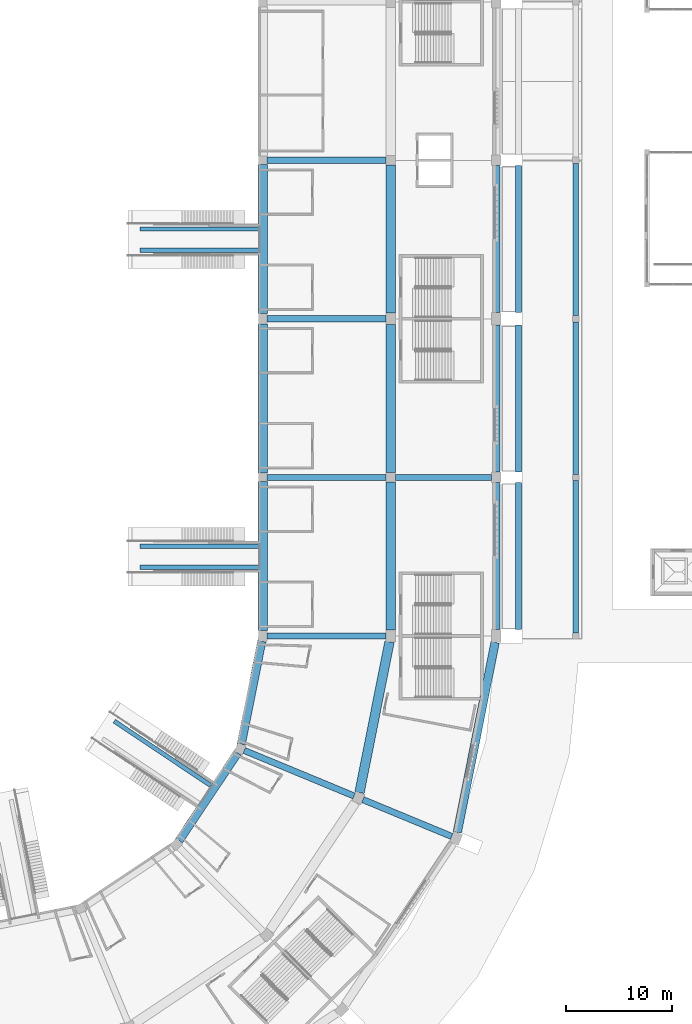
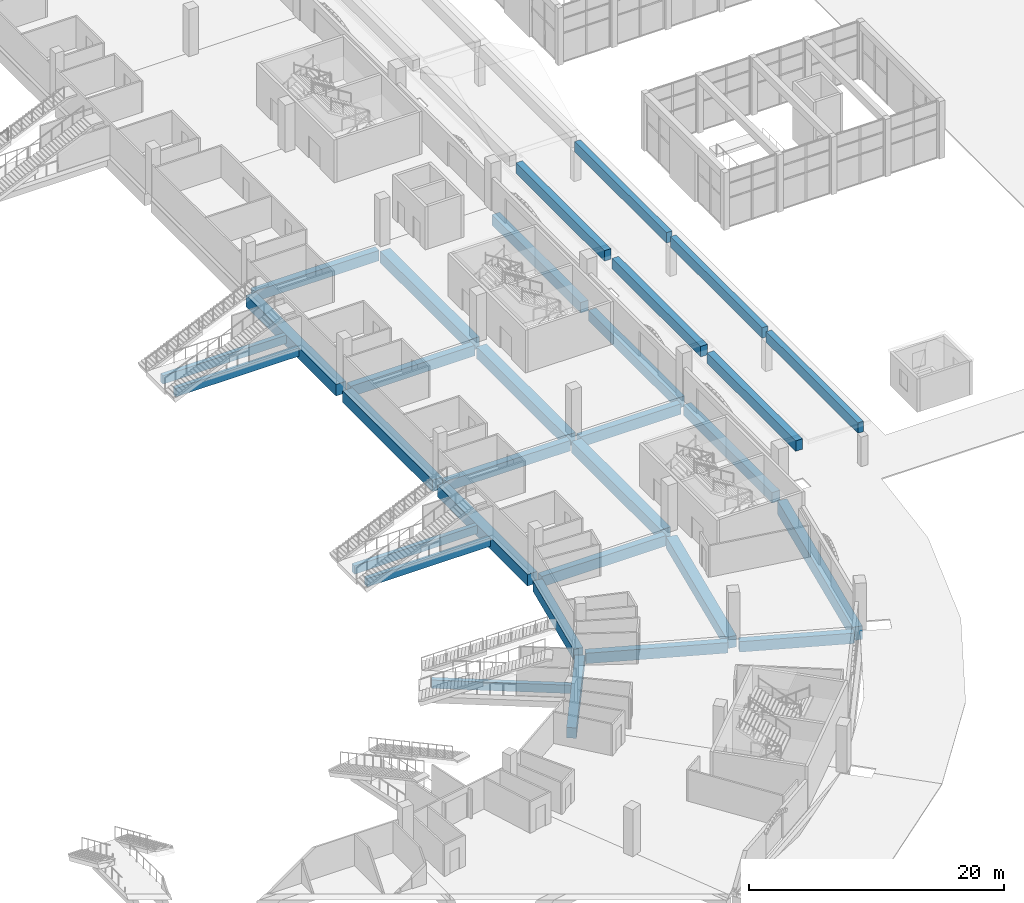
# One storey, part 5 of 175: 31 beams.
"""IFC4 building model written with IfcOpenShell, lengths in metres."""

import ifcopenshell
import ifcopenshell.guid

model = None  # the IFC model being written
_history = None  # IfcOwnerHistory: only IFC2X3 demands one
_inside = {}  # id of a spatial element -> (the spatial element, [elements in it])
_under = {}  # id of a project, library or spatial element -> (it, [spatial elements below it])
_declared = {}  # id of a project -> (the project, [libraries it declares])
_typed = {}  # id of a type object -> (the type object, [elements of that type])
_made_of = {}  # id of a material, layer set ... -> (it, [elements and type objects made of it])


def new_model(schema):
    """Start an empty IFC model of exactly this schema.

    Asked for "IFC4X3", IfcOpenShell would pick the latest addendum, in which some entities
    have other attributes; the version numbers below select the first issue.
    IFC2X3 requires an IfcOwnerHistory on every rooted entity: one is made here for all.
    """
    global model, _history
    if schema == "IFC4X3":
        model = ifcopenshell.file(schema_version=(4, 3, 0, 0))
    else:
        model = ifcopenshell.file(schema=schema)
    _inside.clear()
    _under.clear()
    _declared.clear()
    _typed.clear()
    _made_of.clear()
    _history = None
    if model.schema == "IFC2X3":
        org = make("IfcOrganization", Name="unknown")
        user = make(
            "IfcPersonAndOrganization",
            ThePerson=make("IfcPerson", FamilyName="unknown"),
            TheOrganization=org,
        )
        app = make(
            "IfcApplication",
            ApplicationDeveloper=org,
            Version="unknown",
            ApplicationFullName="unknown",
            ApplicationIdentifier="unknown",
        )
        _history = make(
            "IfcOwnerHistory",
            OwningUser=user,
            OwningApplication=app,
            ChangeAction="ADDED",
            CreationDate=0,
        )
    return model


def make(cls, **values):
    """One entity of the class cls with the attributes given. An attribute that is None is left unset."""
    return model.create_entity(
        cls, **{name: value for name, value in values.items() if value is not None}
    )


def rooted(cls, **values):
    """An entity with a GlobalId (a new one), such as an element, a storey or a relation."""
    return make(cls, GlobalId=ifcopenshell.guid.new(), OwnerHistory=_history, **values)


def si_unit(unit_type, name, prefix=None):
    """IfcSIUnit, for example si_unit("LENGTHUNIT", "METRE", prefix="MILLI")."""
    return make("IfcSIUnit", UnitType=unit_type, Prefix=prefix, Name=name)


def assignment(units):
    """IfcUnitAssignment: the units of a project."""
    return None if units is None else make("IfcUnitAssignment", Units=units)


def point(xyz):
    """IfcCartesianPoint."""
    return None if xyz is None else make("IfcCartesianPoint", Coordinates=xyz)


def direction(xyz):
    """IfcDirection."""
    return None if xyz is None else make("IfcDirection", DirectionRatios=xyz)


def frame(location, z_axis=None, x_axis=None):
    """IfcAxis2Placement3D, a coordinate frame: its origin and axes. An axis left out is left unset."""
    return make(
        "IfcAxis2Placement3D",
        Location=point(location),
        Axis=direction(z_axis),
        RefDirection=direction(x_axis),
    )


def frame_2d(location, x_axis=None):
    """IfcAxis2Placement2D, a coordinate frame in the plane: its origin and x axis."""
    return make(
        "IfcAxis2Placement2D", Location=point(location), RefDirection=direction(x_axis)
    )


def origin():
    """The frame at (0, 0, 0) with its axes left unset."""
    return frame((0.0, 0.0, 0.0))


def origin_2d():
    """The frame at (0, 0) in the plane with its x axis left unset."""
    return frame_2d((0.0, 0.0))


def place(relative_to, where):
    """IfcLocalPlacement: puts the frame where relative to a parent placement (None: the world)."""
    return make(
        "IfcLocalPlacement", PlacementRelTo=relative_to, RelativePlacement=where
    )


def context(
    kind, dimensions, precision=None, world=None, true_north=None, identifier=None
):
    """IfcGeometricRepresentationContext, for example the 3D "Model" context."""
    return make(
        "IfcGeometricRepresentationContext",
        ContextIdentifier=identifier,
        ContextType=kind,
        CoordinateSpaceDimension=dimensions,
        Precision=precision,
        WorldCoordinateSystem=world,
        TrueNorth=true_north,
    )


def subcontext(parent, identifier, kind, view, scale=None):
    """IfcGeometricRepresentationSubContext, for example "Body" below "Model"."""
    return make(
        "IfcGeometricRepresentationSubContext",
        ContextIdentifier=identifier,
        ContextType=kind,
        ParentContext=parent,
        TargetScale=scale,
        TargetView=view,
    )


def project(units=None, contexts=None):
    """IfcProject with its units and contexts."""
    return rooted(
        "IfcProject",
        Name="project",
        RepresentationContexts=contexts,
        UnitsInContext=assignment(units),
    )


def spatial(cls, under=None, at=None, **own):
    """A site, building, storey or space (cls), placed at a placement, below another one or the project."""
    s = rooted(cls, ObjectPlacement=at, **own)
    if under is not None:
        _under.setdefault(under.id(), (under, []))[1].append(s)
    return s


def profile(cls, at=None, kind="AREA", **sizes):
    """A parametric profile (cls). Its sizes go by their IFC names, for example OverallWidth=200.0."""
    return make(cls, ProfileType=kind, Position=at, **sizes)


def rectangle(**sizes):
    """IfcRectangleProfileDef."""
    return profile("IfcRectangleProfileDef", **sizes)


def extrude(swept, where, along, depth):
    """IfcExtrudedAreaSolid: the profile swept, set in the frame where, extruded along a direction by depth."""
    return make(
        "IfcExtrudedAreaSolid",
        SweptArea=swept,
        Position=where,
        ExtrudedDirection=direction(along),
        Depth=depth,
    )


def shape(context_of_items, identifier, shape_type, items):
    """IfcShapeRepresentation: the items that make up one representation, for example the "Body"."""
    return make(
        "IfcShapeRepresentation",
        ContextOfItems=context_of_items,
        RepresentationIdentifier=identifier,
        RepresentationType=shape_type,
        Items=items,
    )


def material(Name=None, Category=None):
    """IfcMaterial."""
    return make("IfcMaterial", Name=Name, Category=Category)


def material_profile(
    of_material, cross_section, Name=None, Category=None, Priority=None
):
    """IfcMaterialProfile: a cross section and its material."""
    return make(
        "IfcMaterialProfile",
        Name=Name,
        Material=of_material,
        Profile=cross_section,
        Priority=Priority,
        Category=Category,
    )


def profile_set(profiles, Name=None, composite=None):
    """IfcMaterialProfileSet."""
    return make(
        "IfcMaterialProfileSet",
        Name=Name,
        MaterialProfiles=profiles,
        CompositeProfile=composite,
    )


def made_of(thing, what):
    """Note that an element or type object is made of a material, layer set ...; save() writes the relation."""
    if what is not None:
        _made_of.setdefault(what.id(), (what, []))[1].append(thing)
    return thing


def type_object(cls, material=None, **own):
    """A type object (cls), such as IfcWallType, which elements share."""
    return made_of(rooted(cls, **own), material)


def element(
    cls,
    number,
    at=None,
    inside=None,
    cuts=None,
    type_object=None,
    material=None,
    context=None,
    identifier="Body",
    shape_type=None,
    held_by="IfcProductDefinitionShape",
    body=None,
    shapes=None,
    **own,
):
    """One element of the class cls, such as IfcWall. Its Tag is "e" and its number.

    at: its placement. inside: the storey or other place that contains it. cuts: it is an
    opening in that element (IfcRelVoidsElement). A single representation is given by context,
    identifier, shape_type and body (its items); several are given by shapes. held_by: the class
    of the entity that holds the representations. save() writes the other relations.
    """
    e = rooted(cls, Tag="e%d" % number, ObjectPlacement=at, **own)
    if body is not None:
        shapes = [shape(context, identifier, shape_type, body)]
    if shapes is not None:
        e.Representation = make(held_by, Representations=shapes)
    if inside is not None:
        _inside.setdefault(inside.id(), (inside, []))[1].append(e)
    if cuts is not None:
        rooted(
            "IfcRelVoidsElement", RelatingBuildingElement=cuts, RelatedOpeningElement=e
        )
    if type_object is not None:
        _typed.setdefault(type_object.id(), (type_object, []))[1].append(e)
    return made_of(e, material)


def aggregate(whole, parts):
    """IfcRelAggregates: a whole, such as a stair, and the parts it consists of."""
    return rooted("IfcRelAggregates", RelatingObject=whole, RelatedObjects=parts)


def save(model, path):
    """Write the relations noted so far, then the file.

    IfcRelAggregates (storeys below a building ...), IfcRelContainedInSpatialStructure (elements
    in a storey), IfcRelDefinesByType, IfcRelAssociatesMaterial and IfcRelDeclares: one each for
    every whole, place, type object, material and project.
    """
    for whole, parts in _under.values():
        aggregate(whole, parts)
    for where, things in _inside.values():
        rooted(
            "IfcRelContainedInSpatialStructure",
            RelatedElements=things,
            RelatingStructure=where,
        )
    for kind, things in _typed.values():
        rooted("IfcRelDefinesByType", RelatedObjects=things, RelatingType=kind)
    for what, things in _made_of.values():
        rooted("IfcRelAssociatesMaterial", RelatedObjects=things, RelatingMaterial=what)
    for by, libraries in _declared.values():
        rooted("IfcRelDeclares", RelatingContext=by, RelatedDefinitions=libraries)
    model.write(path)


model = new_model("IFC4")

# Units and contexts
model_context = context("Model", 3, precision=1e-05, world=origin(), true_north=direction((0.0, 1.0)))
body_context = subcontext(model_context, "Body", "Model", "MODEL_VIEW")
ifc_project = project(units=[si_unit("LENGTHUNIT", "METRE"), si_unit("AREAUNIT", "SQUARE_METRE"), si_unit("VOLUMEUNIT", "CUBIC_METRE"), si_unit("PLANEANGLEUNIT", "RADIAN"), si_unit("MASSUNIT", "GRAM", prefix="KILO")], contexts=[model_context])

# Site, building, storey
site_placement = place(None, origin())
site = spatial("IfcSite", under=ifc_project, at=site_placement, CompositionType="ELEMENT")
building_placement = place(site_placement, origin())
building = spatial("IfcBuilding", under=site, at=building_placement, Name="Ogive Plaza Stadium", CompositionType="ELEMENT")
storey_placement = place(building_placement, origin())
storey = spatial("IfcBuildingStorey", under=building, at=storey_placement, Name="L00", CompositionType="ELEMENT", Elevation=0.0)

# Beams
ifc_material_1 = material(Name="Concrete C40/50", Category="concrete")
ifc_material_profile_1 = material_profile(ifc_material_1, rectangle(XDim=0.5, YDim=1.0, at=origin_2d()), Name="RC 500x1000")
ifc_profile_set_1 = profile_set([ifc_material_profile_1], Name="Concrete C40/50")
beam_type_1 = type_object("IfcBeamType", Name="Colonnade front beam RC 500x1000", PredefinedType="BEAM", material=ifc_profile_set_1)
for number, where, z_axis, x_axis, name in (
    (1, (91.5, -7.800048828125, 3.300048828125), (0.0, -1.0, 0.0), (1.0, 0.0, 0.0), "Colonnade front beam B05"),
    (2, (91.5, -22.800048828125, 3.300048828125), (0.0, -1.0, 0.0), (1.0, 0.0, 0.0), "Colonnade front beam B06"),
    (3, (91.5, -37.800048828125, 3.300048828125), (0.0, -1.0, 0.0), (1.0, 0.0, 0.0), "Colonnade front beam B07"),
):
    element("IfcBeam", number, at=place(storey_placement, frame(where, z_axis=z_axis, x_axis=x_axis)), inside=storey, type_object=beam_type_1, Name=name, PredefinedType="BEAM", context=body_context, shape_type="SweptSolid", body=[
        extrude(rectangle(XDim=0.5, YDim=1.0, at=origin_2d()), origin(), (0.0, 0.0, 1.0), 14.39990234375),
    ])
ifc_material_2 = material(Name="Concrete C40/50", Category="concrete")
ifc_material_profile_2 = material_profile(ifc_material_2, rectangle(XDim=0.60009765625, YDim=1.0, at=origin_2d()), Name="RC 600x1000")
ifc_profile_set_2 = profile_set([ifc_material_profile_2], Name="Concrete C40/50")
beam_type_2 = type_object("IfcBeamType", Name="Colonnade rear beam RC 600x1000", PredefinedType="BEAM", material=ifc_profile_set_2)
for number, where, z_axis, x_axis, name in (
    (4, (86.10009765625, -8.0, 3.300048828125), (0.0, -1.0, 0.0), (1.0, 0.0, 0.0), "Colonnade rear beam B05"),
    (5, (86.10009765625, -23.10009765625, 3.300048828125), (0.0, -1.0, 0.0), (1.0, 0.0, 0.0), "Colonnade rear beam B06"),
    (6, (86.10009765625, -38.0, 3.300048828125), (0.0, -1.0, 0.0), (1.0, 0.0, 0.0), "Colonnade rear beam B07"),
):
    element("IfcBeam", number, at=place(storey_placement, frame(where, z_axis=z_axis, x_axis=x_axis)), inside=storey, type_object=beam_type_2, Name=name, PredefinedType="BEAM", context=body_context, shape_type="SweptSolid", body=[
        extrude(rectangle(XDim=0.60009765625, YDim=1.0, at=origin_2d()), origin(), (0.0, 0.0, 1.0), 13.89990234375),
    ])
ifc_material_3 = material(Name="Concrete C40/50", Category="concrete")
ifc_material_profile_3 = material_profile(ifc_material_3, rectangle(XDim=0.60009765625, YDim=1.0, at=origin_2d()), Name="RC 600x1000")
ifc_profile_set_3 = profile_set([ifc_material_profile_3], Name="Concrete C40/50")
beam_type_3 = type_object("IfcBeamType", Name="RC radial beam 600x1000", PredefinedType="BEAM", material=ifc_profile_set_3)
for number, where, z_axis, x_axis, name in (
    (7, (62.300048828125, -7.5, -0.909912109375), (1.0, 0.0, 0.0), (0.0, 1.0, 0.0), "Radial beam L00 R05 F3F4"),
    (8, (62.300048828125, -22.5, -0.909912109375), (1.0, 0.0, 0.0), (0.0, 1.0, 0.0), "Radial beam L00 R06 F3F4"),
    (9, (62.300048828125, -37.5, -0.909912109375), (1.0, 0.0, 0.0), (0.0, 1.0, 0.0), "Radial beam L00 R07 F3F4"),
):
    element("IfcBeam", number, at=place(storey_placement, frame(where, z_axis=z_axis, x_axis=x_axis)), inside=storey, type_object=beam_type_3, Name=name, PredefinedType="BEAM", context=body_context, shape_type="SweptSolid", body=[
        extrude(rectangle(XDim=0.60009765625, YDim=1.0, at=origin_2d()), origin(), (0.0, 0.0, 1.0), 11.25),
    ])
beam_1_placement = place(storey_placement, frame((74.449951171875, -37.5, -0.909912109375), z_axis=(1.0, 0.0, 0.0), x_axis=(0.0, 1.0, 0.0)))
element("IfcBeam", 10, at=beam_1_placement, inside=storey, type_object=beam_type_3, Name="Radial beam L00 R07 F4F5", PredefinedType="BEAM", context=body_context, shape_type="SweptSolid", body=[
    extrude(rectangle(XDim=0.60009765625, YDim=1.0, at=origin_2d()), origin(), (0.0, 0.0, 1.0), 9.10009765625),
])
beam_2_placement = place(storey_placement, frame((62.300048828125, -52.5, -0.909912109375), z_axis=(1.0, 0.0, 0.0), x_axis=(0.0, 1.0, 0.0)))
element("IfcBeam", 11, at=beam_2_placement, inside=storey, type_object=beam_type_3, Name="Radial beam L00 R08 F3F4", PredefinedType="BEAM", context=body_context, shape_type="SweptSolid", body=[
    extrude(rectangle(XDim=0.60009765625, YDim=1.0, at=origin_2d()), origin(), (0.0, 0.0, 1.0), 11.25),
])
beam_3_placement = place(storey_placement, frame((60.145751953125, -63.329833984375, -0.909912109375), z_axis=(0.92388194159, -0.382677616283, 0.0), x_axis=(0.382677616283, 0.92388194159, 0.0)))
element("IfcBeam", 12, at=beam_3_placement, inside=storey, type_object=beam_type_3, Name="Radial beam L00 R09 F3F4", PredefinedType="BEAM", context=body_context, shape_type="SweptSolid", body=[
    extrude(rectangle(XDim=0.60009765625, YDim=1.0, at=origin_2d()), origin(), (0.0, 0.0, 1.0), 11.250244140625),
])
beam_4_placement = place(storey_placement, frame((71.370849609375, -67.9794921875, -0.909912109375), z_axis=(0.923882116707, -0.382677193504, 0.0), x_axis=(0.382677193504, 0.923882116707, 0.0)))
element("IfcBeam", 13, at=beam_4_placement, inside=storey, type_object=beam_type_3, Name="Radial beam L00 R09 F4F5", PredefinedType="BEAM", context=body_context, shape_type="SweptSolid", body=[
    extrude(rectangle(XDim=0.60009765625, YDim=1.0, at=origin_2d()), origin(), (0.0, 0.0, 1.0), 9.10009765625),
])
ifc_material_4 = material(Name="Concrete C40/50", Category="concrete")
ifc_material_profile_4 = material_profile(ifc_material_4, rectangle(XDim=0.800048828125, YDim=1.0, at=origin_2d()), Name="RC 800x1000")
ifc_profile_set_4 = profile_set([ifc_material_profile_4], Name="Concrete C40/50")
beam_type_4 = type_object("IfcBeamType", Name="RC ring beam 800x1000", PredefinedType="BEAM", material=ifc_profile_set_4)
beam_5_placement = place(storey_placement, frame((61.800537109375, -53.0, -0.909912109375), z_axis=(-0.195093456635, -0.980784656884, 0.0), x_axis=(0.980784656884, -0.195093456635, 0.0)))
element("IfcBeam", 14, at=beam_5_placement, inside=storey, type_object=beam_type_4, Name="Ring beam F3 L00 B08", PredefinedType="BEAM", context=body_context, shape_type="SweptSolid", body=[
    extrude(rectangle(XDim=0.800048828125, YDim=1.0, at=origin_2d()), origin(), (0.0, 0.0, 1.0), 9.91748046875),
])
beam_6_placement = place(storey_placement, frame((59.521240234375, -63.558349609375, -0.909912109375), z_axis=(-0.555570290949, -0.831469573595, 0.0), x_axis=(0.831469573595, -0.555570290949, 0.0)))
element("IfcBeam", 15, at=beam_6_placement, inside=storey, type_object=beam_type_4, Name="Ring beam F3 L00 B09", PredefinedType="BEAM", context=body_context, shape_type="SweptSolid", body=[
    extrude(rectangle(XDim=0.800048828125, YDim=1.0, at=origin_2d()), origin(), (0.0, 0.0, 1.0), 9.96826171875),
])
ifc_material_5 = material(Name="Concrete C40/50", Category="concrete")
ifc_material_profile_5 = material_profile(ifc_material_5, rectangle(XDim=0.89990234375, YDim=1.10009765625, at=origin_2d()), Name="RC 900x1100")
ifc_profile_set_5 = profile_set([ifc_material_profile_5], Name="Concrete C40/50")
beam_type_5 = type_object("IfcBeamType", Name="RC ring beam 900x1100", PredefinedType="BEAM", material=ifc_profile_set_5)
beam_7_placement = place(storey_placement, frame((74.0, -7.949951171875, -0.9599609375), z_axis=(0.0, -1.0, 0.0), x_axis=(1.0, 0.0, 0.0)))
element("IfcBeam", 16, at=beam_7_placement, inside=storey, type_object=beam_type_5, Name="Ring beam F4 L00 B05", PredefinedType="BEAM", context=body_context, shape_type="SweptSolid", body=[
    extrude(rectangle(XDim=0.89990234375, YDim=1.10009765625, at=origin_2d()), origin(), (0.0, 0.0, 1.0), 14.0),
])
beam_8_placement = place(storey_placement, frame((61.89990234375, -7.89990234375, -0.9599609375), z_axis=(0.0, -1.0, 0.0), x_axis=(1.0, 0.0, 0.0)))
element("IfcBeam", 17, at=beam_8_placement, inside=storey, type_object=beam_type_5, Name="Ring beam F3 L00 B05", PredefinedType="BEAM", context=body_context, shape_type="SweptSolid", body=[
    extrude(rectangle(XDim=0.89990234375, YDim=1.10009765625, at=origin_2d()), origin(), (0.0, 0.0, 1.0), 14.10009765625),
])
beam_9_placement = place(storey_placement, frame((74.0, -23.050048828125, -0.9599609375), z_axis=(0.0, -1.0, 0.0), x_axis=(1.0, 0.0, 0.0)))
element("IfcBeam", 18, at=beam_9_placement, inside=storey, type_object=beam_type_5, Name="Ring beam F4 L00 B06", PredefinedType="BEAM", context=body_context, shape_type="SweptSolid", body=[
    extrude(rectangle(XDim=0.89990234375, YDim=1.10009765625, at=origin_2d()), origin(), (0.0, 0.0, 1.0), 14.0),
])
beam_10_placement = place(storey_placement, frame((61.89990234375, -23.0, -0.9599609375), z_axis=(0.0, -1.0, 0.0), x_axis=(1.0, 0.0, 0.0)))
element("IfcBeam", 19, at=beam_10_placement, inside=storey, type_object=beam_type_5, Name="Ring beam F3 L00 B06", PredefinedType="BEAM", context=body_context, shape_type="SweptSolid", body=[
    extrude(rectangle(XDim=0.89990234375, YDim=1.10009765625, at=origin_2d()), origin(), (0.0, 0.0, 1.0), 14.10009765625),
])
beam_11_placement = place(storey_placement, frame((74.0, -37.949951171875, -0.9599609375), z_axis=(0.0, -1.0, 0.0), x_axis=(1.0, 0.0, 0.0)))
element("IfcBeam", 20, at=beam_11_placement, inside=storey, type_object=beam_type_5, Name="Ring beam F4 L00 B07", PredefinedType="BEAM", context=body_context, shape_type="SweptSolid", body=[
    extrude(rectangle(XDim=0.89990234375, YDim=1.10009765625, at=origin_2d()), origin(), (0.0, 0.0, 1.0), 14.0),
])
beam_12_placement = place(storey_placement, frame((61.89990234375, -37.89990234375, -0.9599609375), z_axis=(0.0, -1.0, 0.0), x_axis=(1.0, 0.0, 0.0)))
element("IfcBeam", 21, at=beam_12_placement, inside=storey, type_object=beam_type_5, Name="Ring beam F3 L00 B07", PredefinedType="BEAM", context=body_context, shape_type="SweptSolid", body=[
    extrude(rectangle(XDim=0.89990234375, YDim=1.10009765625, at=origin_2d()), origin(), (0.0, 0.0, 1.0), 14.10009765625),
])
beam_13_placement = place(storey_placement, frame((73.890625, -53.050048828125, -0.9599609375), z_axis=(-0.195088957992, -0.980785551724, 0.0), x_axis=(0.980785551724, -0.195088957992, 0.0)))
element("IfcBeam", 22, at=beam_13_placement, inside=storey, type_object=beam_type_5, Name="Ring beam F4 L00 B08", PredefinedType="BEAM", context=body_context, shape_type="SweptSolid", body=[
    extrude(rectangle(XDim=0.89990234375, YDim=1.10009765625, at=origin_2d()), origin(), (0.0, 0.0, 1.0), 14.53662109375),
])
ifc_material_6 = material(Name="Concrete C40/50", Category="concrete")
ifc_material_profile_6 = material_profile(ifc_material_6, rectangle(XDim=0.699951171875, YDim=1.0, at=origin_2d()), Name="RC 700x1000")
ifc_profile_set_6 = profile_set([ifc_material_profile_6], Name="Concrete C40/50")
beam_type_6 = type_object("IfcBeamType", Name="RC spandrel beam 700x1000", PredefinedType="SPANDREL", material=ifc_profile_set_6)
for number, where, z_axis, x_axis, name in (
    (23, (84.0, -8.0, -0.909912109375), (0.0, -1.0, 0.0), (1.0, 0.0, 0.0), "Ring beam F5 L00 B05"),
    (24, (84.0, -23.10009765625, -0.909912109375), (0.0, -1.0, 0.0), (1.0, 0.0, 0.0), "Ring beam F5 L00 B06"),
    (25, (84.0, -38.0, -0.909912109375), (0.0, -1.0, 0.0), (1.0, 0.0, 0.0), "Ring beam F5 L00 B07"),
):
    element("IfcBeam", number, at=place(storey_placement, frame(where, z_axis=z_axis, x_axis=x_axis)), inside=storey, type_object=beam_type_6, Name=name, PredefinedType="SPANDREL", context=body_context, shape_type="SweptSolid", body=[
        extrude(rectangle(XDim=0.699951171875, YDim=1.0, at=origin_2d()), origin(), (0.0, 0.0, 1.0), 13.89990234375),
    ])
ifc_material_7 = material(Name="Concrete C40/50", Category="concrete")
ifc_material_profile_7 = material_profile(ifc_material_7, rectangle(XDim=0.800048828125, YDim=1.300048828125, at=origin_2d()), Name="RC 800x1300")
ifc_profile_set_7 = profile_set([ifc_material_profile_7], Name="Concrete C40/50")
beam_type_7 = type_object("IfcBeamType", Name="RC spandrel beam 800x1300", PredefinedType="SPANDREL", material=ifc_profile_set_7)
beam_14_placement = place(storey_placement, frame((83.880615234375, -53.10009765625, -1.06005859375), z_axis=(-0.195084152283, -0.980786507619, 0.0), x_axis=(0.980786507619, -0.195084152283, 0.0)))
element("IfcBeam", 26, at=beam_14_placement, inside=storey, type_object=beam_type_7, Name="Ring beam F5 L00 B08", PredefinedType="SPANDREL", context=body_context, shape_type="SweptSolid", body=[
    extrude(rectangle(XDim=0.800048828125, YDim=1.300048828125, at=origin_2d()), origin(), (0.0, 0.0, 1.0), 18.33642578125),
])
ifc_material_8 = material(Name="Concrete C40/50", Category="concrete")
ifc_material_profile_8 = material_profile(ifc_material_8, rectangle(XDim=0.39990234375, YDim=0.800048828125, at=origin_2d()), Name="RC 400x800")
ifc_profile_set_8 = profile_set([ifc_material_profile_8], Name="Concrete C40/50")
beam_type_8 = type_object("IfcBeamType", Name="RC tongue beam 400x800", PredefinedType="BEAM", material=ifc_profile_set_8)
for number, where, z_axis, x_axis, name in (
    (27, (50.300048828125, -16.0, -0.81005859375), (1.0, 0.0, 0.0), (0.0, 1.0, 0.0), "Vomitory beam B05 1"),
    (28, (50.300048828125, -14.0, -0.81005859375), (1.0, 0.0, 0.0), (0.0, 1.0, 0.0), "Vomitory beam B05 2"),
    (29, (50.300048828125, -46.0, -0.81005859375), (1.0, 0.0, 0.0), (0.0, 1.0, 0.0), "Vomitory beam B07 1"),
    (30, (50.300048828125, -44.0, -0.81005859375), (1.0, 0.0, 0.0), (0.0, 1.0, 0.0), "Vomitory beam B07 2"),
):
    element("IfcBeam", number, at=place(storey_placement, frame(where, z_axis=z_axis, x_axis=x_axis)), inside=storey, type_object=beam_type_8, Name=name, PredefinedType="BEAM", context=body_context, shape_type="SweptSolid", body=[
        extrude(rectangle(XDim=0.39990234375, YDim=0.800048828125, at=origin_2d()), origin(), (0.0, 0.0, 1.0), 11.199951171875),
    ])
beam_15_placement = place(storey_placement, frame((47.84814453125, -60.55029296875, -0.81005859375), z_axis=(0.831471984156, -0.555566683274, 0.0), x_axis=(0.555566683274, 0.831471984156, 0.0)))
element("IfcBeam", 31, at=beam_15_placement, inside=storey, type_object=beam_type_8, Name="Vomitory beam B09 2", PredefinedType="BEAM", context=body_context, shape_type="SweptSolid", body=[
    extrude(rectangle(XDim=0.39990234375, YDim=0.800048828125, at=origin_2d()), origin(), (0.0, 0.0, 1.0), 10.98486328125),
])

save(model, "model.ifc")
